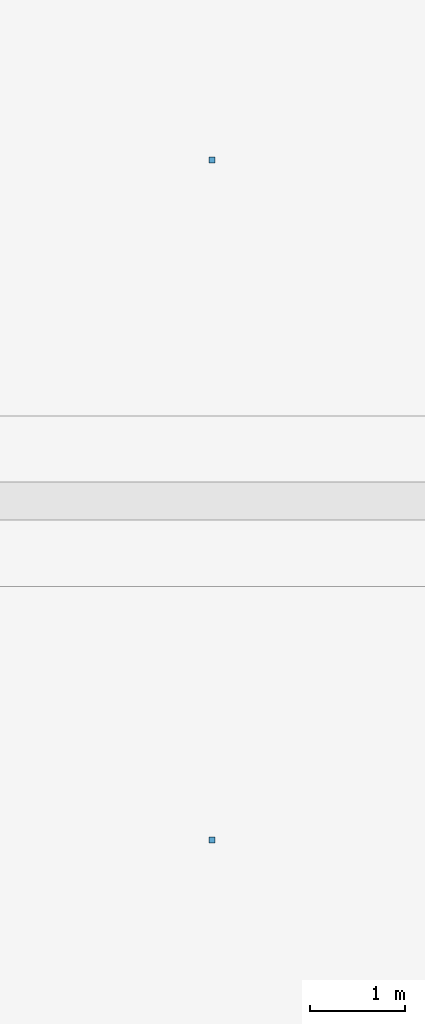
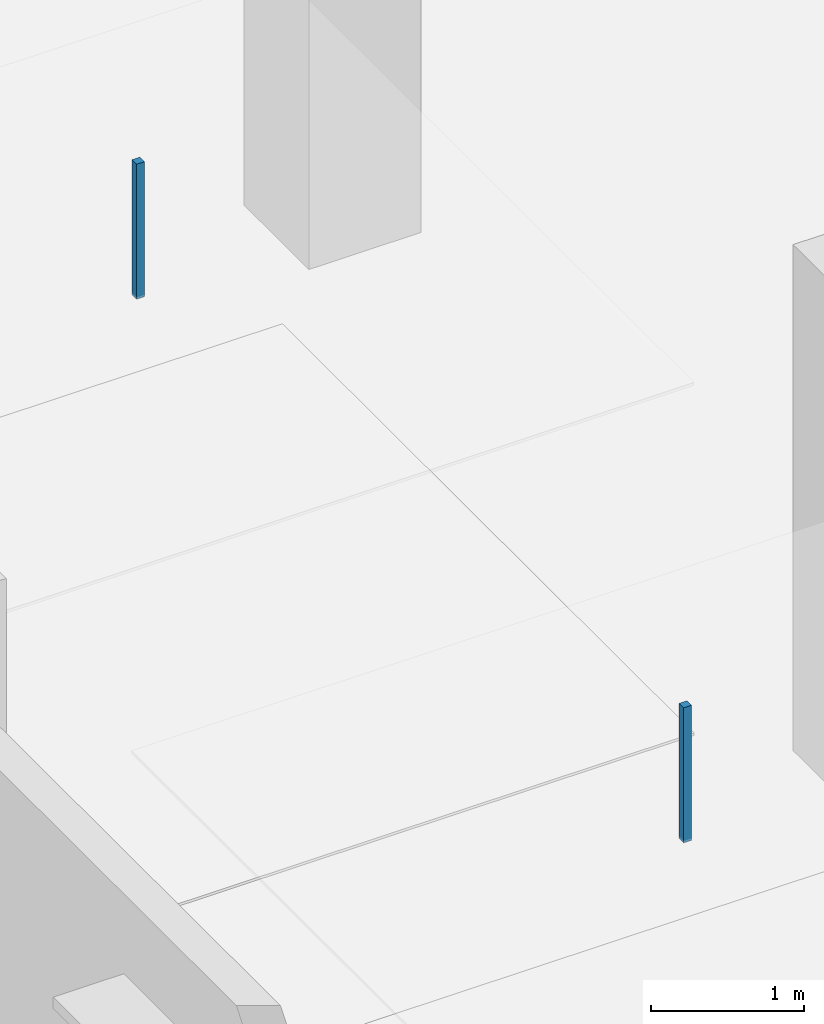
# One storey, part 90 of 107: 2 discrete accessories.
"""IFC4 building model written with IfcOpenShell, lengths in metres."""

from ifc_helpers import new_model, si_unit, direction, frame, origin, origin_2d, place, context, subcontext, project, spatial, rectangle, extrude, material, type_object, element, save


model = new_model("IFC4")

# Units and contexts
model_context = context("Model", 3, precision=1e-05, world=origin(), true_north=direction((0.0, 1.0)))
body_context = subcontext(model_context, "Body", "Model", "MODEL_VIEW")
ifc_project = project(units=[si_unit("LENGTHUNIT", "METRE"), si_unit("AREAUNIT", "SQUARE_METRE"), si_unit("VOLUMEUNIT", "CUBIC_METRE"), si_unit("PLANEANGLEUNIT", "RADIAN"), si_unit("MASSUNIT", "GRAM", prefix="KILO")], contexts=[model_context])

# Site, building, storey
site_placement = place(None, origin())
site = spatial("IfcSite", under=ifc_project, at=site_placement, CompositionType="ELEMENT")
building_placement = place(site_placement, origin())
building = spatial("IfcBuilding", under=site, at=building_placement, Name="Kangsadwip Square Police Headquarters", CompositionType="ELEMENT")
storey_placement = place(building_placement, frame((0.0, 0.0, 5.39990234375)))
storey = spatial("IfcBuildingStorey", under=building, at=storey_placement, Name="L01", CompositionType="ELEMENT", Elevation=5.39990234375)

# Discrete accessories
ifc_material = material(Name="Structural steel IS 2062 E350 (Grade 350, 350 MPa)", Category="steel")
discrete_accessory_type = type_object("IfcDiscreteAccessoryType", Name="VeilOutriggerBracket", PredefinedType="BRACKET", material=ifc_material)
for number, where, z_axis, x_axis, name in (
    (1, (3.64990234375, 75.625, 2.81005859375), (0.0, 0.0, 1.0), (1.0, 0.0, 0.0), "Ceiling Suspension Hanger L01-050"),
    (2, (3.64990234375, 82.800048828125, 2.81005859375), (0.0, 0.0, 1.0), (1.0, 0.0, 0.0), "Ceiling Suspension Hanger L01-051"),
):
    element("IfcDiscreteAccessory", number, at=place(storey_placement, frame(where, z_axis=z_axis, x_axis=x_axis)), inside=storey, type_object=discrete_accessory_type, Name=name, PredefinedType="BRACKET", context=body_context, shape_type="SweptSolid", body=[
        extrude(rectangle(XDim=0.06005859375, YDim=0.06005859375, at=origin_2d()), origin(), (0.0, 0.0, 1.0), 1.080078125),
    ])

save(model, "model.ifc")
